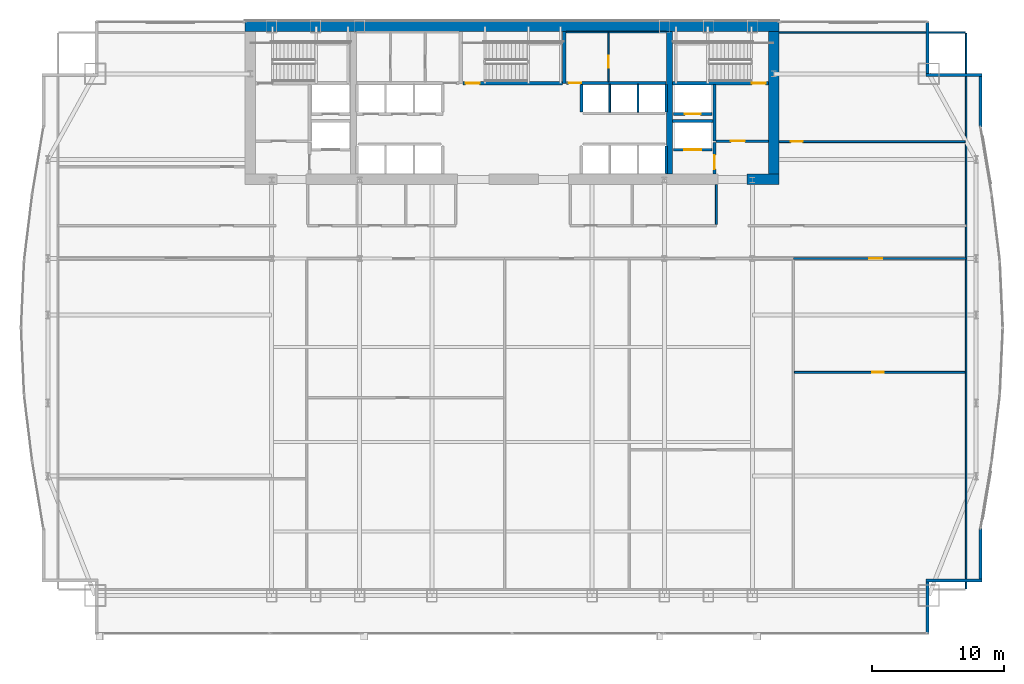
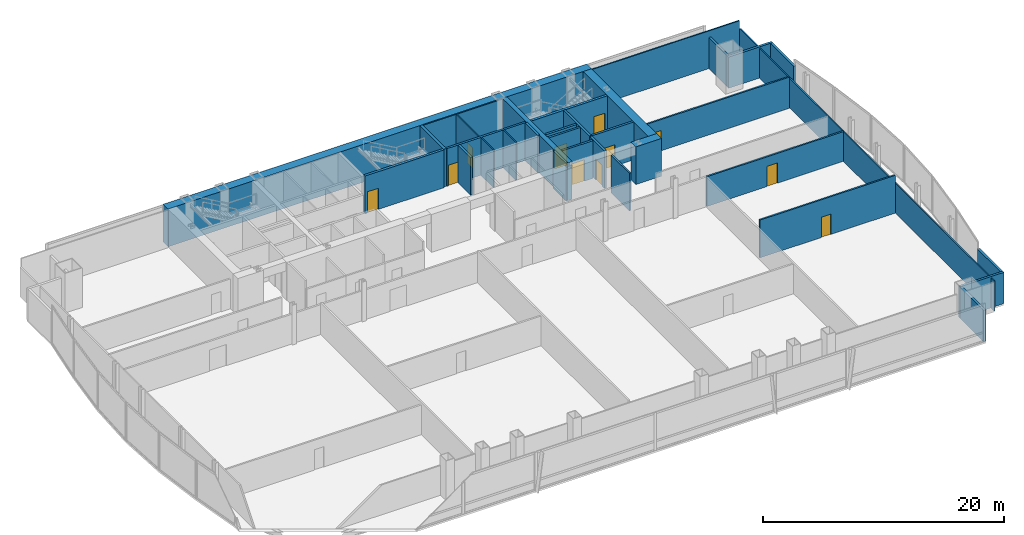
# One storey, part 29 of 32: 33 walls, 11 doors, 11 openings.
"""IFC4 building model written with IfcOpenShell, lengths in metres."""

import ifcopenshell
import ifcopenshell.guid

model = None  # the IFC model being written
_history = None  # IfcOwnerHistory: only IFC2X3 demands one
_inside = {}  # id of a spatial element -> (the spatial element, [elements in it])
_under = {}  # id of a project, library or spatial element -> (it, [spatial elements below it])
_declared = {}  # id of a project -> (the project, [libraries it declares])
_typed = {}  # id of a type object -> (the type object, [elements of that type])
_made_of = {}  # id of a material, layer set ... -> (it, [elements and type objects made of it])


def new_model(schema):
    """Start an empty IFC model of exactly this schema.

    Asked for "IFC4X3", IfcOpenShell would pick the latest addendum, in which some entities
    have other attributes; the version numbers below select the first issue.
    IFC2X3 requires an IfcOwnerHistory on every rooted entity: one is made here for all.
    """
    global model, _history
    if schema == "IFC4X3":
        model = ifcopenshell.file(schema_version=(4, 3, 0, 0))
    else:
        model = ifcopenshell.file(schema=schema)
    _inside.clear()
    _under.clear()
    _declared.clear()
    _typed.clear()
    _made_of.clear()
    _history = None
    if model.schema == "IFC2X3":
        org = make("IfcOrganization", Name="unknown")
        user = make(
            "IfcPersonAndOrganization",
            ThePerson=make("IfcPerson", FamilyName="unknown"),
            TheOrganization=org,
        )
        app = make(
            "IfcApplication",
            ApplicationDeveloper=org,
            Version="unknown",
            ApplicationFullName="unknown",
            ApplicationIdentifier="unknown",
        )
        _history = make(
            "IfcOwnerHistory",
            OwningUser=user,
            OwningApplication=app,
            ChangeAction="ADDED",
            CreationDate=0,
        )
    return model


def make(cls, **values):
    """One entity of the class cls with the attributes given. An attribute that is None is left unset."""
    return model.create_entity(
        cls, **{name: value for name, value in values.items() if value is not None}
    )


def rooted(cls, **values):
    """An entity with a GlobalId (a new one), such as an element, a storey or a relation."""
    return make(cls, GlobalId=ifcopenshell.guid.new(), OwnerHistory=_history, **values)


def si_unit(unit_type, name, prefix=None):
    """IfcSIUnit, for example si_unit("LENGTHUNIT", "METRE", prefix="MILLI")."""
    return make("IfcSIUnit", UnitType=unit_type, Prefix=prefix, Name=name)


def assignment(units):
    """IfcUnitAssignment: the units of a project."""
    return None if units is None else make("IfcUnitAssignment", Units=units)


def point(xyz):
    """IfcCartesianPoint."""
    return None if xyz is None else make("IfcCartesianPoint", Coordinates=xyz)


def direction(xyz):
    """IfcDirection."""
    return None if xyz is None else make("IfcDirection", DirectionRatios=xyz)


def frame(location, z_axis=None, x_axis=None):
    """IfcAxis2Placement3D, a coordinate frame: its origin and axes. An axis left out is left unset."""
    return make(
        "IfcAxis2Placement3D",
        Location=point(location),
        Axis=direction(z_axis),
        RefDirection=direction(x_axis),
    )


def frame_2d(location, x_axis=None):
    """IfcAxis2Placement2D, a coordinate frame in the plane: its origin and x axis."""
    return make(
        "IfcAxis2Placement2D", Location=point(location), RefDirection=direction(x_axis)
    )


def origin():
    """The frame at (0, 0, 0) with its axes left unset."""
    return frame((0.0, 0.0, 0.0))


def place(relative_to, where):
    """IfcLocalPlacement: puts the frame where relative to a parent placement (None: the world)."""
    return make(
        "IfcLocalPlacement", PlacementRelTo=relative_to, RelativePlacement=where
    )


def context(
    kind, dimensions, precision=None, world=None, true_north=None, identifier=None
):
    """IfcGeometricRepresentationContext, for example the 3D "Model" context."""
    return make(
        "IfcGeometricRepresentationContext",
        ContextIdentifier=identifier,
        ContextType=kind,
        CoordinateSpaceDimension=dimensions,
        Precision=precision,
        WorldCoordinateSystem=world,
        TrueNorth=true_north,
    )


def subcontext(parent, identifier, kind, view, scale=None):
    """IfcGeometricRepresentationSubContext, for example "Body" below "Model"."""
    return make(
        "IfcGeometricRepresentationSubContext",
        ContextIdentifier=identifier,
        ContextType=kind,
        ParentContext=parent,
        TargetScale=scale,
        TargetView=view,
    )


def project(units=None, contexts=None):
    """IfcProject with its units and contexts."""
    return rooted(
        "IfcProject",
        Name="project",
        RepresentationContexts=contexts,
        UnitsInContext=assignment(units),
    )


def spatial(cls, under=None, at=None, **own):
    """A site, building, storey or space (cls), placed at a placement, below another one or the project."""
    s = rooted(cls, ObjectPlacement=at, **own)
    if under is not None:
        _under.setdefault(under.id(), (under, []))[1].append(s)
    return s


def profile(cls, at=None, kind="AREA", **sizes):
    """A parametric profile (cls). Its sizes go by their IFC names, for example OverallWidth=200.0."""
    return make(cls, ProfileType=kind, Position=at, **sizes)


def rectangle(**sizes):
    """IfcRectangleProfileDef."""
    return profile("IfcRectangleProfileDef", **sizes)


def extrude(swept, where, along, depth):
    """IfcExtrudedAreaSolid: the profile swept, set in the frame where, extruded along a direction by depth."""
    return make(
        "IfcExtrudedAreaSolid",
        SweptArea=swept,
        Position=where,
        ExtrudedDirection=direction(along),
        Depth=depth,
    )


def shape(context_of_items, identifier, shape_type, items):
    """IfcShapeRepresentation: the items that make up one representation, for example the "Body"."""
    return make(
        "IfcShapeRepresentation",
        ContextOfItems=context_of_items,
        RepresentationIdentifier=identifier,
        RepresentationType=shape_type,
        Items=items,
    )


def material(Name=None, Category=None):
    """IfcMaterial."""
    return make("IfcMaterial", Name=Name, Category=Category)


def layer(
    of_material, thickness, ventilated=None, Name=None, Category=None, Priority=None
):
    """IfcMaterialLayer: one layer of a wall or slab, of a material (None: an air gap)."""
    return make(
        "IfcMaterialLayer",
        Material=of_material,
        LayerThickness=thickness,
        IsVentilated=ventilated,
        Name=Name,
        Category=Category,
        Priority=Priority,
    )


def layer_set(layers, Name=None):
    """IfcMaterialLayerSet."""
    return make("IfcMaterialLayerSet", MaterialLayers=layers, LayerSetName=Name)


def made_of(thing, what):
    """Note that an element or type object is made of a material, layer set ...; save() writes the relation."""
    if what is not None:
        _made_of.setdefault(what.id(), (what, []))[1].append(thing)
    return thing


def type_object(cls, material=None, **own):
    """A type object (cls), such as IfcWallType, which elements share."""
    return made_of(rooted(cls, **own), material)


def element(
    cls,
    number,
    at=None,
    inside=None,
    cuts=None,
    type_object=None,
    material=None,
    context=None,
    identifier="Body",
    shape_type=None,
    held_by="IfcProductDefinitionShape",
    body=None,
    shapes=None,
    **own,
):
    """One element of the class cls, such as IfcWall. Its Tag is "e" and its number.

    at: its placement. inside: the storey or other place that contains it. cuts: it is an
    opening in that element (IfcRelVoidsElement). A single representation is given by context,
    identifier, shape_type and body (its items); several are given by shapes. held_by: the class
    of the entity that holds the representations. save() writes the other relations.
    """
    e = rooted(cls, Tag="e%d" % number, ObjectPlacement=at, **own)
    if body is not None:
        shapes = [shape(context, identifier, shape_type, body)]
    if shapes is not None:
        e.Representation = make(held_by, Representations=shapes)
    if inside is not None:
        _inside.setdefault(inside.id(), (inside, []))[1].append(e)
    if cuts is not None:
        rooted(
            "IfcRelVoidsElement", RelatingBuildingElement=cuts, RelatedOpeningElement=e
        )
    if type_object is not None:
        _typed.setdefault(type_object.id(), (type_object, []))[1].append(e)
    return made_of(e, material)


def fill(opening, filler):
    """IfcRelFillsElement: the door or window that sits in an opening."""
    return rooted(
        "IfcRelFillsElement",
        RelatingOpeningElement=opening,
        RelatedBuildingElement=filler,
    )


def aggregate(whole, parts):
    """IfcRelAggregates: a whole, such as a stair, and the parts it consists of."""
    return rooted("IfcRelAggregates", RelatingObject=whole, RelatedObjects=parts)


def save(model, path):
    """Write the relations noted so far, then the file.

    IfcRelAggregates (storeys below a building ...), IfcRelContainedInSpatialStructure (elements
    in a storey), IfcRelDefinesByType, IfcRelAssociatesMaterial and IfcRelDeclares: one each for
    every whole, place, type object, material and project.
    """
    for whole, parts in _under.values():
        aggregate(whole, parts)
    for where, things in _inside.values():
        rooted(
            "IfcRelContainedInSpatialStructure",
            RelatedElements=things,
            RelatingStructure=where,
        )
    for kind, things in _typed.values():
        rooted("IfcRelDefinesByType", RelatedObjects=things, RelatingType=kind)
    for what, things in _made_of.values():
        rooted("IfcRelAssociatesMaterial", RelatedObjects=things, RelatingMaterial=what)
    for by, libraries in _declared.values():
        rooted("IfcRelDeclares", RelatingContext=by, RelatedDefinitions=libraries)
    model.write(path)


model = new_model("IFC4")

# Units and contexts
model_context = context("Model", 3, precision=1e-05, world=origin(), true_north=direction((0.0, 1.0)))
body_context = subcontext(model_context, "Body", "Model", "MODEL_VIEW")
ifc_project = project(units=[si_unit("LENGTHUNIT", "METRE"), si_unit("AREAUNIT", "SQUARE_METRE"), si_unit("VOLUMEUNIT", "CUBIC_METRE"), si_unit("PLANEANGLEUNIT", "RADIAN"), si_unit("MASSUNIT", "GRAM", prefix="KILO")], contexts=[model_context])

# Site, building, storey
site_placement = place(None, origin())
site = spatial("IfcSite", under=ifc_project, at=site_placement, CompositionType="ELEMENT")
building_placement = place(site_placement, origin())
building = spatial("IfcBuilding", under=site, at=building_placement, Name="Khoronbel Lancet Exchange", CompositionType="ELEMENT")
storey_placement = place(building_placement, frame((0.0, 0.0, 41.800048828125)))
storey = spatial("IfcBuildingStorey", under=building, at=storey_placement, Name="L09", CompositionType="ELEMENT", Elevation=41.800048828125)

# Walls
ifc_material_1 = material(Name="Concrete C80/95", Category="concrete")
ifc_layer_1 = layer(ifc_material_1, 0.800048828125, Name="Concrete C80/95")
ifc_layer_set_1 = layer_set([ifc_layer_1], Name="Concrete C80/95")
wall_type_1 = type_object("IfcWallType", Name="WL-CW1", PredefinedType="SHEAR", material=ifc_layer_set_1)
wall_1_placement = place(storey_placement, frame((16.199951171875, 53.300048828125, 0.0), z_axis=(0.0, 0.0, 1.0), x_axis=(1.0, 0.0, 0.0)))
element("IfcWall", 1, at=wall_1_placement, inside=storey, type_object=wall_type_1, Name="Level L09 rear core north shear wall", PredefinedType="SHEAR", context=body_context, shape_type="SweptSolid", body=[
    extrude(rectangle(XDim=40.5, YDim=0.800048828125, at=frame_2d((20.25, 0.0))), origin(), (0.0, 0.0, 1.0), 3.820068359375),
])
wall_2_placement = place(storey_placement, frame((56.300048828125, 52.89990234375, 0.0), z_axis=(0.0, 0.0, 1.0), x_axis=(0.0, -1.0, 0.0)))
element("IfcWall", 2, at=wall_2_placement, inside=storey, type_object=wall_type_1, Name="Level L09 rear core east shear wall", PredefinedType="SHEAR", context=body_context, shape_type="SweptSolid", body=[
    extrude(rectangle(XDim=10.7998046875, YDim=0.800048828125, at=frame_2d((5.39990234375, 0.0))), origin(), (0.0, 0.0, 1.0), 3.820068359375),
])
wall_3_placement = place(storey_placement, frame((56.699951171875, 41.699951171875, 0.0), z_axis=(0.0, 0.0, 1.0), x_axis=(-1.0, 0.0, 0.0)))
element("IfcWall", 3, at=wall_3_placement, inside=storey, type_object=wall_type_1, Name="Level L09 rear core south shear wall pier P5", PredefinedType="SHEAR", context=body_context, shape_type="SweptSolid", body=[
    extrude(rectangle(XDim=2.449951171875, YDim=0.800048828125, at=frame_2d((1.22509765625, 0.0))), origin(), (0.0, 0.0, 1.0), 3.820068359375),
])
ifc_material_2 = material(Name="Precast concrete C40/50", Category="concrete")
ifc_layer_2 = layer(ifc_material_2, 0.25, Name="Precast concrete C40/50")
ifc_layer_set_2 = layer_set([ifc_layer_2], Name="Precast concrete C40/50")
wall_type_2 = type_object("IfcWallType", Name="WL-EXT250", PredefinedType="SOLIDWALL", material=ifc_layer_set_2)
wall_4_placement = place(storey_placement, frame((67.9599609375, 53.6298828125, 0.0), z_axis=(0.0, 0.0, 1.0), x_axis=(0.0, -1.0, 0.0)))
element("IfcWall", 4, at=wall_4_placement, inside=storey, type_object=wall_type_2, Name="Level L09 notched-corner limestone pier 14", PredefinedType="SOLIDWALL", context=body_context, shape_type="SweptSolid", body=[
    extrude(rectangle(XDim=3.909912109375, YDim=0.219970703125, at=frame_2d((1.955078125, 0.0))), origin(), (0.0, 0.0, 1.0), 3.159912109375),
])
wall_5_placement = place(storey_placement, frame((67.85009765625, 49.610107421875, 0.0), z_axis=(0.0, 0.0, 1.0), x_axis=(1.0, 0.0, 0.0)))
element("IfcWall", 5, at=wall_5_placement, inside=storey, type_object=wall_type_2, Name="Level L09 notched-corner limestone pier 15", PredefinedType="SOLIDWALL", context=body_context, shape_type="SweptSolid", body=[
    extrude(rectangle(XDim=4.219970703125, YDim=0.219970703125, at=frame_2d((2.10986328125, 0.0))), origin(), (0.0, 0.0, 1.0), 3.159912109375),
])
wall_6_placement = place(storey_placement, frame((71.9599609375, 49.5, 0.0), z_axis=(0.0, 0.0, 1.0), x_axis=(0.0, -1.0, 0.0)))
element("IfcWall", 6, at=wall_6_placement, inside=storey, type_object=wall_type_2, Name="Level L09 notched-corner limestone pier 16", PredefinedType="SOLIDWALL", context=body_context, shape_type="SweptSolid", body=[
    extrude(rectangle(XDim=3.827392578125, YDim=0.219970703125, at=frame_2d((1.91357421875, 0.0))), origin(), (0.0, 0.0, 1.0), 3.159912109375),
])
wall_7_placement = place(storey_placement, frame((71.9599609375, 15.2275390625, 0.0), z_axis=(0.0, 0.0, 1.0), x_axis=(0.0, -1.0, 0.0)))
element("IfcWall", 7, at=wall_7_placement, inside=storey, type_object=wall_type_2, Name="Level L09 notched-corner limestone pier 23", PredefinedType="SOLIDWALL", context=body_context, shape_type="SweptSolid", body=[
    extrude(rectangle(XDim=3.82763671875, YDim=0.219970703125, at=frame_2d((1.913818359375, 0.0))), origin(), (0.0, 0.0, 1.0), 3.159912109375),
])
wall_8_placement = place(storey_placement, frame((72.070068359375, 11.2900390625, 0.0), z_axis=(0.0, 0.0, 1.0), x_axis=(-1.0, 0.0, 0.0)))
element("IfcWall", 8, at=wall_8_placement, inside=storey, type_object=wall_type_2, Name="Level L09 notched-corner limestone pier 24", PredefinedType="SOLIDWALL", context=body_context, shape_type="SweptSolid", body=[
    extrude(rectangle(XDim=4.219970703125, YDim=0.219970703125, at=frame_2d((2.10986328125, 0.0))), origin(), (0.0, 0.0, 1.0), 3.159912109375),
])
wall_9_placement = place(storey_placement, frame((67.9599609375, 11.179931640625, 0.0), z_axis=(0.0, 0.0, 1.0), x_axis=(0.0, -1.0, 0.0)))
element("IfcWall", 9, at=wall_9_placement, inside=storey, type_object=wall_type_2, Name="Level L09 notched-corner limestone pier 25", PredefinedType="SOLIDWALL", context=body_context, shape_type="SweptSolid", body=[
    extrude(rectangle(XDim=3.909912109375, YDim=0.219970703125, at=frame_2d((1.955078125, 0.0))), origin(), (0.0, 0.0, 1.0), 3.159912109375),
])
ifc_material_3 = material(Name="Acoustic Metal-Stud & Mineral-Wool Gypsum Partition 120 mm", Category="gypsum")
ifc_layer_3 = layer(ifc_material_3, 0.1201171875, Name="Acoustic Metal-Stud & Mineral-Wool Gypsum Partition 120 mm")
ifc_layer_set_3 = layer_set([ifc_layer_3], Name="Acoustic Metal-Stud & Mineral-Wool Gypsum Partition 120 mm")
wall_type_3 = type_object("IfcWallType", Name="WL-PRT120", PredefinedType="PARTITIONING", material=ifc_layer_set_3)
wall_10_placement = place(storey_placement, frame((51.949951171875, 38.280029296875, 0.0), z_axis=(0.0, 0.0, 1.0), x_axis=(0.0, 1.0, 0.0)))
element("IfcWall", 10, at=wall_10_placement, inside=storey, type_object=wall_type_3, Name="Level L09 interior partition PW-NP-1", PredefinedType="PARTITIONING", context=body_context, shape_type="SweptSolid", body=[
    extrude(rectangle(XDim=3.02001953125, YDim=0.14990234375, at=frame_2d((1.510009765625, 0.0))), origin(), (0.0, 0.0, 1.0), 3.820068359375),
])

# Wall, opening, door
wall_11_placement = place(storey_placement, frame((56.699951171875, 44.56005859375, 0.0), z_axis=(0.0, 0.0, 1.0), x_axis=(1.0, 0.0, 0.0)))
wall_11 = element("IfcWall", 11, at=wall_11_placement, inside=storey, type_object=wall_type_3, Name="Level L09 interior partition PW-NE-H", PredefinedType="PARTITIONING", context=body_context, shape_type="SweptSolid", body=[
    extrude(rectangle(XDim=14.10498046875, YDim=0.14990234375, at=frame_2d((7.052490234375, 0.0))), origin(), (0.0, 0.0, 1.0), 3.159912109375),
])
opening_1_placement = place(wall_11_placement, frame((0.89990234375, 0.0, 0.0)))
opening_1 = element("IfcOpeningElement", 12, at=opening_1_placement, cuts=wall_11, Name="Opening D5", PredefinedType="OPENING", context=body_context, shape_type="SweptSolid", body=[
    extrude(rectangle(XDim=0.89990234375, YDim=2.050048828125, at=frame_2d((0.449951171875, 1.02490234375))), frame((0.0, 0.0849609375, 0.0), z_axis=(0.0, -1.0, 0.0), x_axis=(1.0, 0.0, 0.0)), (0.0, 0.0, 1.0), 0.169921875),
])
ifc_material_4 = material(Name="Acoustic Timber Pantry & Support Door", Category="wood")
door_type_1 = type_object("IfcDoorType", Name="DR-D5", OperationType="NOTDEFINED", PredefinedType="DOOR", material=ifc_material_4)
door_1_placement = place(opening_1_placement, origin())
door_1 = element("IfcDoor", 13, at=door_1_placement, inside=storey, type_object=door_type_1, Name="NE north room door L09-1", OperationType="SINGLE_SWING_RIGHT", OverallHeight=2.050048828125, OverallWidth=0.89990234375, PredefinedType="DOOR", context=body_context, shape_type="SweptSolid", body=[
    extrude(rectangle(XDim=0.89990234375, YDim=2.050048828125, at=frame_2d((0.449951171875, 1.02490234375))), frame((0.0, 0.02490234375, 0.0), z_axis=(0.0, -1.0, 0.0), x_axis=(1.0, 0.0, 0.0)), (0.0, 0.0, 1.0), 0.050048828125),
])
fill(opening_1, door_1)

wall_12_placement = place(storey_placement, frame((57.85205078125, 27.072021484375, 0.0), z_axis=(0.0, 0.0, 1.0), x_axis=(1.0, 0.0, 0.0)))
wall_12 = element("IfcWall", 14, at=wall_12_placement, inside=storey, type_object=wall_type_3, Name="Level L09 interior partition PW-Z1S-H5", PredefinedType="PARTITIONING", context=body_context, shape_type="SweptSolid", body=[
    extrude(rectangle(XDim=12.952880859375, YDim=0.14990234375, at=frame_2d((6.4765625, 0.0))), origin(), (0.0, 0.0, 1.0), 3.820068359375),
])
opening_2_placement = place(wall_12_placement, frame((5.89404296875, 0.0, 0.0)))
opening_2 = element("IfcOpeningElement", 15, at=opening_2_placement, cuts=wall_12, Name="Opening D5", PredefinedType="OPENING", context=body_context, shape_type="SweptSolid", body=[
    extrude(rectangle(XDim=0.89990234375, YDim=2.050048828125, at=frame_2d((0.449951171875, 1.02490234375))), frame((0.0, 0.0849609375, 0.0), z_axis=(0.0, -1.0, 0.0), x_axis=(1.0, 0.0, 0.0)), (0.0, 0.0, 1.0), 0.169921875),
])
door_2_placement = place(opening_2_placement, origin())
door_2 = element("IfcDoor", 16, at=door_2_placement, inside=storey, type_object=door_type_1, Name="Z1S inner door 5 L09-1", OperationType="SINGLE_SWING_LEFT", OverallHeight=2.050048828125, OverallWidth=0.89990234375, PredefinedType="DOOR", context=body_context, shape_type="SweptSolid", body=[
    extrude(rectangle(XDim=0.89990234375, YDim=2.050048828125, at=frame_2d((0.449951171875, 1.02490234375))), frame((0.0, 0.02490234375, 0.0), z_axis=(0.0, -1.0, 0.0), x_axis=(1.0, 0.0, 0.0)), (0.0, 0.0, 1.0), 0.050048828125),
])
fill(opening_2, door_2)

# Walls
wall_13_placement = place(storey_placement, frame((70.8701171875, 10.6650390625, 0.0), z_axis=(0.0, 0.0, 1.0), x_axis=(0.0, 1.0, 0.0)))
element("IfcWall", 17, at=wall_13_placement, inside=storey, type_object=wall_type_3, Name="Level L09 interior partition PW-LIN-E", PredefinedType="PARTITIONING", context=body_context, shape_type="SweptSolid", body=[
    extrude(rectangle(XDim=42.10986328125, YDim=0.1201171875, at=frame_2d((21.054931640625, 0.0))), origin(), (0.0, 0.0, 1.0), 3.010009765625),
])
wall_14_placement = place(storey_placement, frame((56.699951171875, 52.840087890625, 0.0), z_axis=(0.0, 0.0, 1.0), x_axis=(1.0, 0.0, 0.0)))
element("IfcWall", 18, at=wall_14_placement, inside=storey, type_object=wall_type_3, Name="Level L09 interior partition PW-LIN-NE", PredefinedType="PARTITIONING", context=body_context, shape_type="SweptSolid", body=[
    extrude(rectangle(XDim=14.10498046875, YDim=0.1201171875, at=frame_2d((7.052490234375, 0.0))), origin(), (0.0, 0.0, 1.0), 3.820068359375),
])
ifc_material_5 = material(Name="Fire-Rated Metal-Stud & Mineral-Wool Gypsum Partition 120 mm", Category="gypsum")
ifc_layer_4 = layer(ifc_material_5, 0.1201171875, Name="Fire-Rated Metal-Stud & Mineral-Wool Gypsum Partition 120 mm")
ifc_layer_set_4 = layer_set([ifc_layer_4], Name="Fire-Rated Metal-Stud & Mineral-Wool Gypsum Partition 120 mm")
wall_type_4 = type_object("IfcWallType", Name="WL-PRT120F", PredefinedType="PARTITIONING", material=ifc_layer_set_4)
for number, where, z_axis, x_axis, name in (
    (19, (43.860107421875, 46.804931640625, 0.0), (0.0, 0.0, 1.0), (0.0, 1.0, 0.0), "Level L09 interior partition CW-PH-D1"),
    (20, (46.0, 46.804931640625, 0.0), (0.0, 0.0, 1.0), (0.0, 1.0, 0.0), "Level L09 interior partition CW-PH-D2"),
):
    element("IfcWall", number, at=place(storey_placement, frame(where, z_axis=z_axis, x_axis=x_axis)), inside=storey, type_object=wall_type_4, Name=name, PredefinedType="PARTITIONING", context=body_context, shape_type="SweptSolid", body=[
        extrude(rectangle(XDim=2.090087890625, YDim=0.1201171875, at=frame_2d((1.044921875, 0.0))), origin(), (0.0, 0.0, 1.0), 3.820068359375),
    ])
wall_15_placement = place(storey_placement, frame((40.580078125, 52.860107421875, 0.0), z_axis=(0.0, 0.0, 1.0), x_axis=(1.0, 0.0, 0.0)))
element("IfcWall", 21, at=wall_15_placement, inside=storey, type_object=wall_type_4, Name="Level L09 interior partition CW-SUP-NE-N", PredefinedType="PARTITIONING", context=body_context, shape_type="SweptSolid", body=[
    extrude(rectangle(XDim=7.559814453125, YDim=0.1201171875, at=frame_2d((3.77978515625, 0.0))), origin(), (0.0, 0.0, 1.0), 3.820068359375),
])

# Wall, opening, door
wall_16_placement = place(storey_placement, frame((43.755126953125, 49.10498046875, 0.0), z_axis=(0.0, 0.0, 1.0), x_axis=(0.0, 1.0, 0.0)))
wall_16 = element("IfcWall", 22, at=wall_16_placement, inside=storey, type_object=wall_type_4, Name="Level L09 interior partition CW-SUP-NE-M", PredefinedType="PARTITIONING", context=body_context, shape_type="SweptSolid", body=[
    extrude(rectangle(XDim=3.68994140625, YDim=0.1201171875, at=frame_2d((1.844970703125, 0.0))), origin(), (0.0, 0.0, 1.0), 3.820068359375),
])
opening_3_placement = place(wall_16_placement, frame((1.050048828125, 0.0, 0.0)))
opening_3 = element("IfcOpeningElement", 23, at=opening_3_placement, cuts=wall_16, Name="Opening FD4", PredefinedType="OPENING", context=body_context, shape_type="SweptSolid", body=[
    extrude(rectangle(XDim=0.89990234375, YDim=2.050048828125, at=frame_2d((0.449951171875, 1.02490234375))), frame((0.0, 0.070068359375, 0.0), z_axis=(0.0, -1.0, 0.0), x_axis=(1.0, 0.0, 0.0)), (0.0, 0.0, 1.0), 0.14013671875),
])
ifc_material_6 = material(Name="Fire-Rated Steel Core Support Door Assembly", Category="steel")
door_type_2 = type_object("IfcDoorType", Name="DR-FD4", OperationType="NOTDEFINED", PredefinedType="DOOR", material=ifc_material_6)
door_3_placement = place(opening_3_placement, origin())
door_3 = element("IfcDoor", 24, at=door_3_placement, inside=storey, type_object=door_type_2, Name="Core NE inner support door L09-1", OperationType="SINGLE_SWING_LEFT", OverallHeight=2.050048828125, OverallWidth=0.89990234375, PredefinedType="DOOR", context=body_context, shape_type="SweptSolid", body=[
    extrude(rectangle(XDim=0.89990234375, YDim=2.050048828125, at=frame_2d((0.449951171875, 1.02490234375))), frame((0.0, 0.02490234375, 0.0), z_axis=(0.0, -1.0, 0.0), x_axis=(1.0, 0.0, 0.0)), (0.0, 0.0, 1.0), 0.050048828125),
])
fill(opening_3, door_3)

ifc_material_7 = material(Name="Fire-Rated Twin-Stud Acoustic Gypsum Partition 160 mm", Category="gypsum")
ifc_layer_5 = layer(ifc_material_7, 0.159912109375, Name="Fire-Rated Twin-Stud Acoustic Gypsum Partition 160 mm")
ifc_layer_set_5 = layer_set([ifc_layer_5], Name="Fire-Rated Twin-Stud Acoustic Gypsum Partition 160 mm")
wall_type_5 = type_object("IfcWallType", Name="WL-PRT160C", PredefinedType="PARTITIONING", material=ifc_layer_set_5)
wall_17_placement = place(storey_placement, frame((57.772216796875, 35.699951171875, 0.0), z_axis=(0.0, 0.0, 1.0), x_axis=(1.0, 0.0, 0.0)))
wall_17 = element("IfcWall", 25, at=wall_17_placement, inside=storey, type_object=wall_type_5, Name="Level L09 interior partition PW-Z1S-COR5", PredefinedType="PARTITIONING", context=body_context, shape_type="SweptSolid", body=[
    extrude(rectangle(XDim=13.097900390625, YDim=0.159912109375, at=frame_2d((6.548828125, 0.0))), origin(), (0.0, 0.0, 1.0), 3.010009765625),
])
opening_4_placement = place(wall_17_placement, frame((5.751220703125, 0.0, 0.0)))
opening_4 = element("IfcOpeningElement", 26, at=opening_4_placement, cuts=wall_17, Name="Opening D2", PredefinedType="OPENING", context=body_context, shape_type="SweptSolid", body=[
    extrude(rectangle(XDim=1.0, YDim=2.050048828125, at=frame_2d((0.5, 1.02490234375))), frame((0.0, 0.08984375, 0.0), z_axis=(0.0, -1.0, 0.0), x_axis=(1.0, 0.0, 0.0)), (0.0, 0.0, 1.0), 0.179931640625),
])
ifc_material_8 = material(Name="Acoustic Veneered Timber & Bronze Frame Door", Category="wood")
door_type_3 = type_object("IfcDoorType", Name="DR-D2", OperationType="NOTDEFINED", PredefinedType="DOOR", material=ifc_material_8)
door_4_placement = place(opening_4_placement, origin())
door_4 = element("IfcDoor", 27, at=door_4_placement, inside=storey, type_object=door_type_3, Name="Z1S bay 5 door L09-1", OperationType="SINGLE_SWING_RIGHT", OverallHeight=2.050048828125, OverallWidth=1.0, PredefinedType="DOOR", context=body_context, shape_type="SweptSolid", body=[
    extrude(rectangle(XDim=1.0, YDim=2.050048828125, at=frame_2d((0.5, 1.02490234375))), frame((0.0, 0.02490234375, 0.0), z_axis=(0.0, -1.0, 0.0), x_axis=(1.0, 0.0, 0.0)), (0.0, 0.0, 1.0), 0.050048828125),
])
fill(opening_4, door_4)

ifc_material_9 = material(Name="Autoclaved Aerated Concrete Blockwork 200 mm", Category="masonry")
ifc_layer_6 = layer(ifc_material_9, 0.199951171875, Name="Autoclaved Aerated Concrete Blockwork 200 mm")
ifc_layer_set_6 = layer_set([ifc_layer_6], Name="Autoclaved Aerated Concrete Blockwork 200 mm")
wall_type_6 = type_object("IfcWallType", Name="WL-PRT200", PredefinedType="PARTITIONING", material=ifc_layer_set_6)
wall_18_placement = place(storey_placement, frame((51.610107421875, 43.949951171875, 0.0), z_axis=(0.0, 0.0, 1.0), x_axis=(-1.0, 0.0, 0.0)))
wall_18 = element("IfcWall", 28, at=wall_18_placement, inside=storey, type_object=wall_type_6, Name="Level L09 elevator hoistway landing front wall SVLE", PredefinedType="PARTITIONING", context=body_context, shape_type="SweptSolid", body=[
    extrude(rectangle(XDim=2.920166015625, YDim=0.199951171875, at=frame_2d((1.4599609375, 0.0))), origin(), (0.0, 0.0, 1.0), 3.820068359375),
])
opening_5_placement = place(wall_18_placement, frame((0.81005859375, 0.0, 0.0)))
opening_5 = element("IfcOpeningElement", 29, at=opening_5_placement, cuts=wall_18, Name="Opening LD-SVL2", PredefinedType="OPENING", context=body_context, shape_type="SweptSolid", body=[
    extrude(rectangle(XDim=1.300048828125, YDim=2.179931640625, at=frame_2d((0.64990234375, 1.08984375))), frame((0.0, 0.10986328125, 0.0), z_axis=(0.0, -1.0, 0.0), x_axis=(1.0, 0.0, 0.0)), (0.0, 0.0, 1.0), 0.219970703125),
])
ifc_material_10 = material(Name="Heavy-Duty Bi-Parting Goods Lift Landing Door", Category="steel")
door_type_4 = type_object("IfcDoorType", Name="DR-LD-SVL", OperationType="NOTDEFINED", PredefinedType="DOOR", material=ifc_material_10)
door_5_placement = place(opening_5_placement, origin())
door_5 = element("IfcDoor", 30, at=door_5_placement, inside=storey, type_object=door_type_4, Name="Elevator landing sliding door LD-SVL2 L09", OperationType="SLIDING_TO_LEFT", OverallHeight=2.179931640625, OverallWidth=1.300048828125, PredefinedType="DOOR", context=body_context, shape_type="SweptSolid", body=[
    extrude(rectangle(XDim=1.300048828125, YDim=2.179931640625, at=frame_2d((0.64990234375, 1.08984375))), frame((0.0, 0.02490234375, 0.0), z_axis=(0.0, -1.0, 0.0), x_axis=(1.0, 0.0, 0.0)), (0.0, 0.0, 1.0), 0.050048828125),
])
fill(opening_5, door_5)

wall_19_placement = place(storey_placement, frame((51.610107421875, 46.64990234375, 0.0), z_axis=(0.0, 0.0, 1.0), x_axis=(-1.0, 0.0, 0.0)))
wall_19 = element("IfcWall", 31, at=wall_19_placement, inside=storey, type_object=wall_type_6, Name="Level L09 elevator hoistway landing front wall FFLE", PredefinedType="PARTITIONING", context=body_context, shape_type="SweptSolid", body=[
    extrude(rectangle(XDim=2.920166015625, YDim=0.199951171875, at=frame_2d((1.4599609375, 0.0))), origin(), (0.0, 0.0, 1.0), 3.820068359375),
])
opening_6_placement = place(wall_19_placement, frame((0.860107421875, 0.0, 0.0)))
opening_6 = element("IfcOpeningElement", 32, at=opening_6_placement, cuts=wall_19, Name="Opening LD-FFL2", PredefinedType="OPENING", context=body_context, shape_type="SweptSolid", body=[
    extrude(rectangle(XDim=1.199951171875, YDim=2.179931640625, at=frame_2d((0.60009765625, 1.08984375))), frame((0.0, 0.10986328125, 0.0), z_axis=(0.0, -1.0, 0.0), x_axis=(1.0, 0.0, 0.0)), (0.0, 0.0, 1.0), 0.219970703125),
])
ifc_material_11 = material(Name="Fire-Rated Stainless Bi-Parting Firefighting Lift Door", Category="steel")
door_type_5 = type_object("IfcDoorType", Name="DR-LD-FFL", OperationType="NOTDEFINED", PredefinedType="DOOR", material=ifc_material_11)
door_6_placement = place(opening_6_placement, origin())
door_6 = element("IfcDoor", 33, at=door_6_placement, inside=storey, type_object=door_type_5, Name="Elevator landing sliding door LD-FFL2 L09", OperationType="SLIDING_TO_LEFT", OverallHeight=2.179931640625, OverallWidth=1.199951171875, PredefinedType="DOOR", context=body_context, shape_type="SweptSolid", body=[
    extrude(rectangle(XDim=1.199951171875, YDim=2.179931640625, at=frame_2d((0.60009765625, 1.08984375))), frame((0.0, 0.02490234375, 0.0), z_axis=(0.0, -1.0, 0.0), x_axis=(1.0, 0.0, 0.0)), (0.0, 0.0, 1.0), 0.050048828125),
])
fill(opening_6, door_6)

# Wall
wall_20_placement = place(storey_placement, frame((51.800048828125, 44.60009765625, 0.0), z_axis=(0.0, 0.0, 1.0), x_axis=(0.0, 1.0, 0.0)))
element("IfcWall", 34, at=wall_20_placement, inside=storey, type_object=wall_type_6, Name="Level L09 interior partition CW-FFLE-W", PredefinedType="PARTITIONING", context=body_context, shape_type="SweptSolid", body=[
    extrude(rectangle(XDim=4.2998046875, YDim=0.199951171875, at=frame_2d((2.14990234375, 0.0))), origin(), (0.0, 0.0, 1.0), 3.820068359375),
])

# Wall, opening, door
wall_21_placement = place(storey_placement, frame((51.89990234375, 44.60009765625, 0.0), z_axis=(0.0, 0.0, 1.0), x_axis=(1.0, 0.0, 0.0)))
wall_21 = element("IfcWall", 35, at=wall_21_placement, inside=storey, type_object=wall_type_6, Name="Level L09 interior partition CW-FFLE-S", PredefinedType="PARTITIONING", context=body_context, shape_type="SweptSolid", body=[
    extrude(rectangle(XDim=4.0, YDim=0.199951171875, at=frame_2d((2.0, 0.0))), origin(), (0.0, 0.0, 1.0), 3.820068359375),
])
opening_7_placement = place(wall_21_placement, frame((1.14990234375, 0.0, 0.0)))
opening_7 = element("IfcOpeningElement", 36, at=opening_7_placement, cuts=wall_21, Name="Opening FD1", PredefinedType="OPENING", context=body_context, shape_type="SweptSolid", body=[
    extrude(rectangle(XDim=1.050048828125, YDim=2.14990234375, at=frame_2d((0.52490234375, 1.074951171875))), frame((0.0, 0.10986328125, 0.0), z_axis=(0.0, -1.0, 0.0), x_axis=(1.0, 0.0, 0.0)), (0.0, 0.0, 1.0), 0.219970703125),
])
ifc_material_12 = material(Name="Fire-Rated Painted Steel Door Assembly", Category="steel")
door_type_6 = type_object("IfcDoorType", Name="DR-FD1", OperationType="NOTDEFINED", PredefinedType="DOOR", material=ifc_material_12)
door_7_placement = place(opening_7_placement, origin())
door_7 = element("IfcDoor", 37, at=door_7_placement, inside=storey, type_object=door_type_6, Name="East firefighting lobby FD90S door L09-1", OperationType="SINGLE_SWING_LEFT", OverallHeight=2.14990234375, OverallWidth=1.050048828125, PredefinedType="DOOR", context=body_context, shape_type="SweptSolid", body=[
    extrude(rectangle(XDim=1.050048828125, YDim=2.14990234375, at=frame_2d((0.52490234375, 1.074951171875))), frame((0.0, 0.02490234375, 0.0), z_axis=(0.0, -1.0, 0.0), x_axis=(1.0, 0.0, 0.0)), (0.0, 0.0, 1.0), 0.050048828125),
])
fill(opening_7, door_7)

# Wall
wall_22_placement = place(storey_placement, frame((48.6298828125, 46.1201171875, 0.0), z_axis=(0.0, 0.0, 1.0), x_axis=(1.0, 0.0, 0.0)))
element("IfcWall", 38, at=wall_22_placement, inside=storey, type_object=wall_type_6, Name="Level L09 interior partition CW-FFL2-S", PredefinedType="PARTITIONING", context=body_context, shape_type="SweptSolid", body=[
    extrude(rectangle(XDim=3.070068359375, YDim=0.199951171875, at=frame_2d((1.53515625, 0.0))), origin(), (0.0, 0.0, 1.0), 3.820068359375),
])

# Wall, opening, door
wall_23_placement = place(storey_placement, frame((51.800048828125, 42.10009765625, 0.0), z_axis=(0.0, 0.0, 1.0), x_axis=(0.0, 1.0, 0.0)))
wall_23 = element("IfcWall", 39, at=wall_23_placement, inside=storey, type_object=wall_type_6, Name="Level L09 interior partition CW-SVLE-E", PredefinedType="PARTITIONING", context=body_context, shape_type="SweptSolid", body=[
    extrude(rectangle(XDim=2.39501953125, YDim=0.199951171875, at=frame_2d((1.197509765625, 0.0))), origin(), (0.0, 0.0, 1.0), 3.820068359375),
])
opening_8_placement = place(wall_23_placement, frame((0.3798828125, 0.0, 0.0)))
opening_8 = element("IfcOpeningElement", 40, at=opening_8_placement, cuts=wall_23, Name="Opening FD1", PredefinedType="OPENING", context=body_context, shape_type="SweptSolid", body=[
    extrude(rectangle(XDim=1.050048828125, YDim=2.14990234375, at=frame_2d((0.52490234375, 1.074951171875))), frame((0.0, 0.10986328125, 0.0), z_axis=(0.0, -1.0, 0.0), x_axis=(1.0, 0.0, 0.0)), (0.0, 0.0, 1.0), 0.219970703125),
])
door_8_placement = place(opening_8_placement, origin())
door_8 = element("IfcDoor", 41, at=door_8_placement, inside=storey, type_object=door_type_6, Name="East service lift lobby door L09-1", OperationType="SINGLE_SWING_RIGHT", OverallHeight=2.14990234375, OverallWidth=1.050048828125, PredefinedType="DOOR", context=body_context, shape_type="SweptSolid", body=[
    extrude(rectangle(XDim=1.050048828125, YDim=2.14990234375, at=frame_2d((0.52490234375, 1.074951171875))), frame((0.0, 0.02490234375, 0.0), z_axis=(0.0, -1.0, 0.0), x_axis=(1.0, 0.0, 0.0)), (0.0, 0.0, 1.0), 0.050048828125),
])
fill(opening_8, door_8)

# Walls
for number, where, z_axis, x_axis, name in (
    (42, (41.719970703125, 46.804931640625, 0.0), (0.0, 0.0, 1.0), (0.0, 1.0, 0.0), "Level L09 interior partition CW-PH-W"),
    (43, (48.139892578125, 46.804931640625, 0.0), (0.0, 0.0, 1.0), (0.0, 1.0, 0.0), "Level L09 interior partition CW-PH-E"),
):
    element("IfcWall", number, at=place(storey_placement, frame(where, z_axis=z_axis, x_axis=x_axis)), inside=storey, type_object=wall_type_6, Name=name, PredefinedType="PARTITIONING", context=body_context, shape_type="SweptSolid", body=[
        extrude(rectangle(XDim=2.090087890625, YDim=0.199951171875, at=frame_2d((1.044921875, 0.0))), origin(), (0.0, 0.0, 1.0), 3.820068359375),
    ])
wall_24_placement = place(storey_placement, frame((48.139892578125, 42.14990234375, 0.0), z_axis=(0.0, 0.0, 1.0), x_axis=(0.0, 1.0, 0.0)))
element("IfcWall", 44, at=wall_24_placement, inside=storey, type_object=wall_type_6, Name="Level L09 interior partition CW-PX-E", PredefinedType="PARTITIONING", context=body_context, shape_type="SweptSolid", body=[
    extrude(rectangle(XDim=2.09521484375, YDim=0.199951171875, at=frame_2d((1.047607421875, 0.0))), origin(), (0.0, 0.0, 1.0), 3.820068359375),
])

# Wall, opening, door
wall_25_placement = place(storey_placement, frame((40.580078125, 49.0, 0.0), z_axis=(0.0, 0.0, 1.0), x_axis=(1.0, 0.0, 0.0)))
wall_25 = element("IfcWall", 45, at=wall_25_placement, inside=storey, type_object=wall_type_6, Name="Level L09 interior partition CW-SUP-NE-S", PredefinedType="PARTITIONING", context=body_context, shape_type="SweptSolid", body=[
    extrude(rectangle(XDim=7.559814453125, YDim=0.199951171875, at=frame_2d((3.77978515625, 0.0))), origin(), (0.0, 0.0, 1.0), 3.820068359375),
])
opening_9_placement = place(wall_25_placement, frame((0.159912109375, 0.0, 0.0)))
opening_9 = element("IfcOpeningElement", 46, at=opening_9_placement, cuts=wall_25, Name="Opening FD3", PredefinedType="OPENING", context=body_context, shape_type="SweptSolid", body=[
    extrude(rectangle(XDim=0.949951171875, YDim=2.10009765625, at=frame_2d((0.47509765625, 1.050048828125))), frame((0.0, 0.10986328125, 0.0), z_axis=(0.0, -1.0, 0.0), x_axis=(1.0, 0.0, 0.0)), (0.0, 0.0, 1.0), 0.219970703125),
])
ifc_material_13 = material(Name="Fire-Rated Steel Plant & Riser Door Assembly", Category="steel")
door_type_7 = type_object("IfcDoorType", Name="DR-FD3", OperationType="NOTDEFINED", PredefinedType="DOOR", material=ifc_material_13)
door_9_placement = place(opening_9_placement, origin())
door_9 = element("IfcDoor", 47, at=door_9_placement, inside=storey, type_object=door_type_7, Name="Core NE support room door L09-1", OperationType="SINGLE_SWING_RIGHT", OverallHeight=2.10009765625, OverallWidth=0.949951171875, PredefinedType="DOOR", context=body_context, shape_type="SweptSolid", body=[
    extrude(rectangle(XDim=0.949951171875, YDim=2.10009765625, at=frame_2d((0.47509765625, 1.050048828125))), frame((0.0, 0.02490234375, 0.0), z_axis=(0.0, -1.0, 0.0), x_axis=(1.0, 0.0, 0.0)), (0.0, 0.0, 1.0), 0.050048828125),
])
fill(opening_9, door_9)

# Walls
ifc_layer_7 = layer(ifc_material_1, 0.449951171875, Name="Concrete C80/95")
ifc_layer_set_7 = layer_set([ifc_layer_7], Name="Concrete C80/95")
wall_type_7 = type_object("IfcWallType", Name="WL-SW1", PredefinedType="SHEAR", material=ifc_layer_set_7)
wall_26_placement = place(storey_placement, frame((48.39990234375, 42.10009765625, 0.0), z_axis=(0.0, 0.0, 1.0), x_axis=(0.0, 1.0, 0.0)))
element("IfcWall", 48, at=wall_26_placement, inside=storey, type_object=wall_type_7, Name="Level L09 rear core internal spine shear wall IE", PredefinedType="SHEAR", context=body_context, shape_type="SweptSolid", body=[
    extrude(rectangle(XDim=10.7998046875, YDim=0.449951171875, at=frame_2d((5.39990234375, 0.0))), origin(), (0.0, 0.0, 1.0), 3.820068359375),
])
ifc_material_14 = material(Name="Concrete C60/75", Category="concrete")
ifc_layer_8 = layer(ifc_material_14, 0.260009765625, Name="Concrete C60/75")
ifc_layer_set_8 = layer_set([ifc_layer_8], Name="Concrete C60/75")
wall_type_8 = type_object("IfcWallType", Name="WL-SW3", PredefinedType="SHEAR", material=ifc_layer_set_8)
wall_27_placement = place(storey_placement, frame((40.419921875, 48.949951171875, 0.0), z_axis=(0.0, 0.0, 1.0), x_axis=(0.0, 1.0, 0.0)))
element("IfcWall", 49, at=wall_27_placement, inside=storey, type_object=wall_type_8, Name="Level L09 central stairwell structural shear wall ST3E", PredefinedType="SHEAR", context=body_context, shape_type="SweptSolid", body=[
    extrude(rectangle(XDim=3.949951171875, YDim=0.260009765625, at=frame_2d((1.97509765625, 0.0))), origin(), (0.0, 0.0, 1.0), 3.820068359375),
])

# Wall, opening, door
wall_28_placement = place(storey_placement, frame((48.6298828125, 48.97998046875, 0.0), z_axis=(0.0, 0.0, 1.0), x_axis=(1.0, 0.0, 0.0)))
wall_28 = element("IfcWall", 50, at=wall_28_placement, inside=storey, type_object=wall_type_8, Name="Level L09 east stairwell structural south wall", PredefinedType="SHEAR", context=body_context, shape_type="SweptSolid", body=[
    extrude(rectangle(XDim=7.27001953125, YDim=0.239990234375, at=frame_2d((3.635009765625, 0.0))), origin(), (0.0, 0.0, 1.0), 3.820068359375),
])
opening_10_placement = place(wall_28_placement, frame((6.0, 0.0, 0.0)))
opening_10 = element("IfcOpeningElement", 51, at=opening_10_placement, cuts=wall_28, Name="Opening SD1", PredefinedType="OPENING", context=body_context, shape_type="SweptSolid", body=[
    extrude(rectangle(XDim=1.050048828125, YDim=2.14990234375, at=frame_2d((0.52490234375, 1.074951171875))), frame((0.0, 0.1298828125, 0.0), z_axis=(0.0, -1.0, 0.0), x_axis=(1.0, 0.0, 0.0)), (0.0, 0.0, 1.0), 0.260009765625),
])
ifc_material_15 = material(Name="Fire-Rated Steel Stairwell Door Assembly", Category="steel")
door_type_8 = type_object("IfcDoorType", Name="DR-SD1", OperationType="NOTDEFINED", PredefinedType="DOOR", material=ifc_material_15)
door_10_placement = place(opening_10_placement, origin())
door_10 = element("IfcDoor", 52, at=door_10_placement, inside=storey, type_object=door_type_8, Name="Protected exit stair ST2 door L09", OperationType="SINGLE_SWING_RIGHT", OverallHeight=2.14990234375, OverallWidth=1.050048828125, PredefinedType="DOOR", context=body_context, shape_type="SweptSolid", body=[
    extrude(rectangle(XDim=1.050048828125, YDim=2.14990234375, at=frame_2d((0.52490234375, 1.074951171875))), frame((0.0, 0.02490234375, 0.0), z_axis=(0.0, -1.0, 0.0), x_axis=(1.0, 0.0, 0.0)), (0.0, 0.0, 1.0), 0.050048828125),
])
fill(opening_10, door_10)

wall_29_placement = place(storey_placement, frame((32.719970703125, 48.97998046875, 0.0), z_axis=(0.0, 0.0, 1.0), x_axis=(1.0, 0.0, 0.0)))
wall_29 = element("IfcWall", 53, at=wall_29_placement, inside=storey, type_object=wall_type_8, Name="Level L09 central stairwell structural south wall", PredefinedType="SHEAR", context=body_context, shape_type="SweptSolid", body=[
    extrude(rectangle(XDim=7.56005859375, YDim=0.239990234375, at=frame_2d((3.780029296875, 0.0))), origin(), (0.0, 0.0, 1.0), 3.820068359375),
])
opening_11_placement = place(wall_29_placement, frame((0.219970703125, 0.0, 0.0)))
opening_11 = element("IfcOpeningElement", 54, at=opening_11_placement, cuts=wall_29, Name="Opening SD1", PredefinedType="OPENING", context=body_context, shape_type="SweptSolid", body=[
    extrude(rectangle(XDim=1.050048828125, YDim=2.14990234375, at=frame_2d((0.52490234375, 1.074951171875))), frame((0.0, 0.1298828125, 0.0), z_axis=(0.0, -1.0, 0.0), x_axis=(1.0, 0.0, 0.0)), (0.0, 0.0, 1.0), 0.260009765625),
])
door_11_placement = place(opening_11_placement, origin())
door_11 = element("IfcDoor", 55, at=door_11_placement, inside=storey, type_object=door_type_8, Name="Protected exit stair ST3 door L09", OperationType="SINGLE_SWING_LEFT", OverallHeight=2.14990234375, OverallWidth=1.050048828125, PredefinedType="DOOR", context=body_context, shape_type="SweptSolid", body=[
    extrude(rectangle(XDim=1.050048828125, YDim=2.14990234375, at=frame_2d((0.52490234375, 1.074951171875))), frame((0.0, 0.02490234375, 0.0), z_axis=(0.0, -1.0, 0.0), x_axis=(1.0, 0.0, 0.0)), (0.0, 0.0, 1.0), 0.050048828125),
])
fill(opening_11, door_11)

save(model, "model.ifc")
